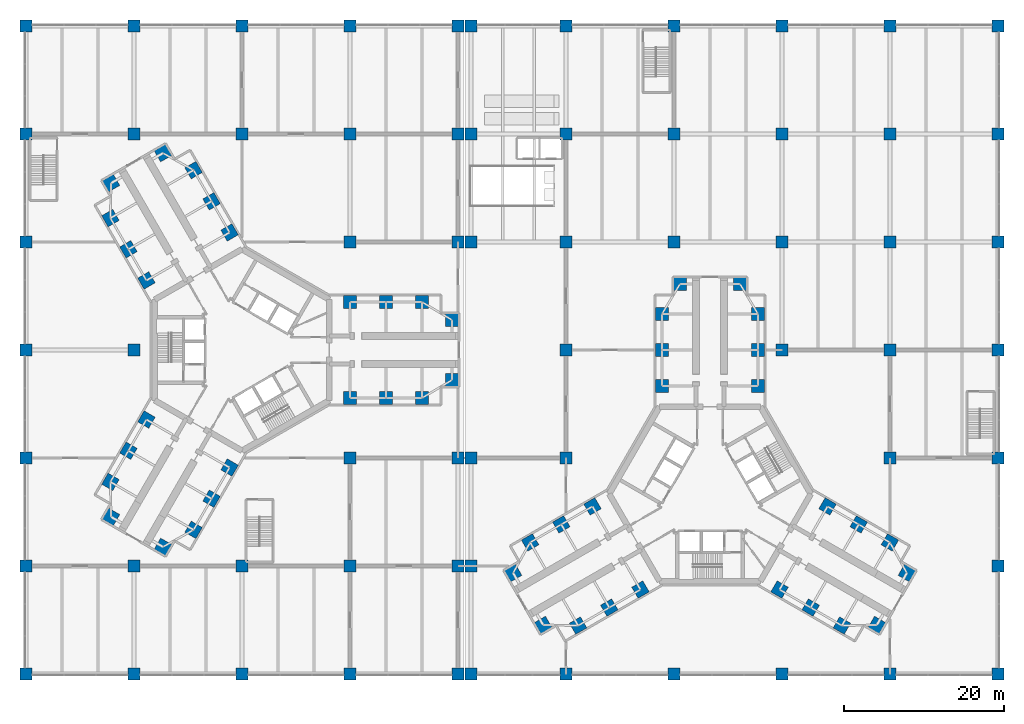
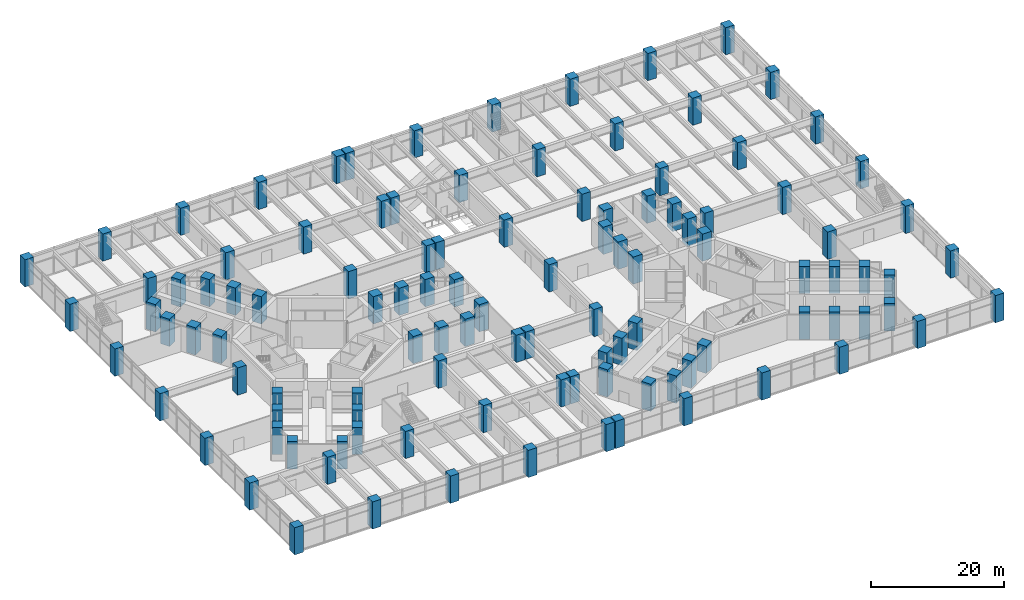
# One storey, part 1 of 32: 110 columns.
"""IFC4 building model written with IfcOpenShell, lengths in metres."""

from ifc_helpers import new_model, si_unit, direction, frame, origin, origin_2d, place, context, subcontext, project, spatial, rectangle, extrude, material, material_profile, profile_set, type_object, element, save


model = new_model("IFC4")

# Units and contexts
model_context = context("Model", 3, precision=1e-05, world=origin(), true_north=direction((0.0, 1.0)))
body_context = subcontext(model_context, "Body", "Model", "MODEL_VIEW")
ifc_project = project(units=[si_unit("LENGTHUNIT", "METRE"), si_unit("AREAUNIT", "SQUARE_METRE"), si_unit("VOLUMEUNIT", "CUBIC_METRE"), si_unit("PLANEANGLEUNIT", "RADIAN"), si_unit("MASSUNIT", "GRAM", prefix="KILO")], contexts=[model_context])

# Site, building, storey
site_placement = place(None, origin())
site = spatial("IfcSite", under=ifc_project, at=site_placement, CompositionType="ELEMENT")
building_placement = place(site_placement, origin())
building = spatial("IfcBuilding", under=site, at=building_placement, Name="Upepo Twin Towers", CompositionType="ELEMENT")
storey_placement = place(building_placement, frame((0.0, 0.0, 5.5)))
storey = spatial("IfcBuildingStorey", under=building, at=storey_placement, Name="L01", CompositionType="ELEMENT", Elevation=5.5)

# Columns
ifc_material_1 = material(Name="Concrete C60/75", Category="concrete")
ifc_material_profile_1 = material_profile(ifc_material_1, rectangle(XDim=1.5, YDim=1.5, at=origin_2d()), Name="RC 1500x1500")
ifc_profile_set_1 = profile_set([ifc_material_profile_1], Name="Concrete C60/75")
column_type_1 = type_object("IfcColumnType", Name="Podium column RC 1500x1500", PredefinedType="COLUMN", material=ifc_profile_set_1)
for number, where, z_axis, x_axis, name in (
    (1, (-27.0, -40.5, 0.0), (0.0, 0.0, 1.0), (1.0, 0.0, 0.0), "Podium column A/1"),
    (2, (-13.5, -40.5, 0.0), (0.0, 0.0, 1.0), (1.0, 0.0, 0.0), "Podium column A/2"),
    (3, (0.0, -40.5, 0.0), (0.0, 0.0, 1.0), (1.0, 0.0, 0.0), "Podium column A/3"),
    (4, (13.5, -40.5, 0.0), (0.0, 0.0, 1.0), (1.0, 0.0, 0.0), "Podium column A/4"),
    (5, (27.0, -40.5, 0.0), (0.0, 0.0, 1.0), (1.0, 0.0, 0.0), "Podium column A/5"),
    (6, (28.64990234375, -40.5, 0.0), (0.0, 0.0, 1.0), (1.0, 0.0, 0.0), "Podium column A/5a"),
    (7, (40.5, -40.5, 0.0), (0.0, 0.0, 1.0), (1.0, 0.0, 0.0), "Podium column A/6"),
    (8, (54.0, -40.5, 0.0), (0.0, 0.0, 1.0), (1.0, 0.0, 0.0), "Podium column A/7"),
    (9, (67.5, -40.5, 0.0), (0.0, 0.0, 1.0), (1.0, 0.0, 0.0), "Podium column A/8"),
    (10, (81.0, -40.5, 0.0), (0.0, 0.0, 1.0), (1.0, 0.0, 0.0), "Podium column A/9"),
    (11, (94.5, -40.5, 0.0), (0.0, 0.0, 1.0), (1.0, 0.0, 0.0), "Podium column A/10"),
    (12, (-27.0, -27.0, 0.0), (0.0, 0.0, 1.0), (1.0, 0.0, 0.0), "Podium column B/1"),
    (13, (-13.5, -27.0, 0.0), (0.0, 0.0, 1.0), (1.0, 0.0, 0.0), "Podium column B/2"),
    (14, (0.0, -27.0, 0.0), (0.0, 0.0, 1.0), (1.0, 0.0, 0.0), "Podium column B/3"),
    (15, (13.5, -27.0, 0.0), (0.0, 0.0, 1.0), (1.0, 0.0, 0.0), "Podium column B/4"),
    (16, (27.0, -27.0, 0.0), (0.0, 0.0, 1.0), (1.0, 0.0, 0.0), "Podium column B/5"),
    (17, (28.64990234375, -27.0, 0.0), (0.0, 0.0, 1.0), (1.0, 0.0, 0.0), "Podium column B/5a"),
    (18, (94.5, -27.0, 0.0), (0.0, 0.0, 1.0), (1.0, 0.0, 0.0), "Podium column B/10"),
    (19, (-27.0, -13.5, 0.0), (0.0, 0.0, 1.0), (1.0, 0.0, 0.0), "Podium column C/1"),
    (20, (13.5, -13.5, 0.0), (0.0, 0.0, 1.0), (1.0, 0.0, 0.0), "Podium column C/4"),
    (21, (27.0, -13.5, 0.0), (0.0, 0.0, 1.0), (1.0, 0.0, 0.0), "Podium column C/5"),
    (22, (28.64990234375, -13.5, 0.0), (0.0, 0.0, 1.0), (1.0, 0.0, 0.0), "Podium column C/5a"),
    (23, (40.5, -13.5, 0.0), (0.0, 0.0, 1.0), (1.0, 0.0, 0.0), "Podium column C/6"),
    (24, (81.0, -13.5, 0.0), (0.0, 0.0, 1.0), (1.0, 0.0, 0.0), "Podium column C/9"),
    (25, (94.5, -13.5, 0.0), (0.0, 0.0, 1.0), (1.0, 0.0, 0.0), "Podium column C/10"),
    (26, (-27.0, 0.0, 0.0), (0.0, 0.0, 1.0), (1.0, 0.0, 0.0), "Podium column D/1"),
    (27, (-13.5, 0.0, 0.0), (0.0, 0.0, 1.0), (1.0, 0.0, 0.0), "Podium column D/2"),
    (28, (40.5, 0.0, 0.0), (0.0, 0.0, 1.0), (1.0, 0.0, 0.0), "Podium column D/6"),
    (29, (67.5, 0.0, 0.0), (0.0, 0.0, 1.0), (1.0, 0.0, 0.0), "Podium column D/8"),
    (30, (81.0, 0.0, 0.0), (0.0, 0.0, 1.0), (1.0, 0.0, 0.0), "Podium column D/9"),
    (31, (94.5, 0.0, 0.0), (0.0, 0.0, 1.0), (1.0, 0.0, 0.0), "Podium column D/10"),
    (32, (-27.0, 13.5, 0.0), (0.0, 0.0, 1.0), (1.0, 0.0, 0.0), "Podium column E/1"),
    (33, (13.5, 13.5, 0.0), (0.0, 0.0, 1.0), (1.0, 0.0, 0.0), "Podium column E/4"),
    (34, (27.0, 13.5, 0.0), (0.0, 0.0, 1.0), (1.0, 0.0, 0.0), "Podium column E/5"),
    (35, (28.64990234375, 13.5, 0.0), (0.0, 0.0, 1.0), (1.0, 0.0, 0.0), "Podium column E/5a"),
    (36, (40.5, 13.5, 0.0), (0.0, 0.0, 1.0), (1.0, 0.0, 0.0), "Podium column E/6"),
    (37, (54.0, 13.5, 0.0), (0.0, 0.0, 1.0), (1.0, 0.0, 0.0), "Podium column E/7"),
    (38, (67.5, 13.5, 0.0), (0.0, 0.0, 1.0), (1.0, 0.0, 0.0), "Podium column E/8"),
    (39, (81.0, 13.5, 0.0), (0.0, 0.0, 1.0), (1.0, 0.0, 0.0), "Podium column E/9"),
    (40, (94.5, 13.5, 0.0), (0.0, 0.0, 1.0), (1.0, 0.0, 0.0), "Podium column E/10"),
    (41, (-27.0, 27.0, 0.0), (0.0, 0.0, 1.0), (1.0, 0.0, 0.0), "Podium column F/1"),
    (42, (-13.5, 27.0, 0.0), (0.0, 0.0, 1.0), (1.0, 0.0, 0.0), "Podium column F/2"),
    (43, (0.0, 27.0, 0.0), (0.0, 0.0, 1.0), (1.0, 0.0, 0.0), "Podium column F/3"),
    (44, (13.5, 27.0, 0.0), (0.0, 0.0, 1.0), (1.0, 0.0, 0.0), "Podium column F/4"),
    (45, (27.0, 27.0, 0.0), (0.0, 0.0, 1.0), (1.0, 0.0, 0.0), "Podium column F/5"),
    (46, (28.64990234375, 27.0, 0.0), (0.0, 0.0, 1.0), (1.0, 0.0, 0.0), "Podium column F/5a"),
    (47, (40.5, 27.0, 0.0), (0.0, 0.0, 1.0), (1.0, 0.0, 0.0), "Podium column F/6"),
    (48, (54.0, 27.0, 0.0), (0.0, 0.0, 1.0), (1.0, 0.0, 0.0), "Podium column F/7"),
    (49, (67.5, 27.0, 0.0), (0.0, 0.0, 1.0), (1.0, 0.0, 0.0), "Podium column F/8"),
    (50, (81.0, 27.0, 0.0), (0.0, 0.0, 1.0), (1.0, 0.0, 0.0), "Podium column F/9"),
    (51, (94.5, 27.0, 0.0), (0.0, 0.0, 1.0), (1.0, 0.0, 0.0), "Podium column F/10"),
    (52, (-27.0, 40.5, 0.0), (0.0, 0.0, 1.0), (1.0, 0.0, 0.0), "Podium column G/1"),
    (53, (-13.5, 40.5, 0.0), (0.0, 0.0, 1.0), (1.0, 0.0, 0.0), "Podium column G/2"),
    (54, (0.0, 40.5, 0.0), (0.0, 0.0, 1.0), (1.0, 0.0, 0.0), "Podium column G/3"),
    (55, (13.5, 40.5, 0.0), (0.0, 0.0, 1.0), (1.0, 0.0, 0.0), "Podium column G/4"),
    (56, (27.0, 40.5, 0.0), (0.0, 0.0, 1.0), (1.0, 0.0, 0.0), "Podium column G/5"),
    (57, (28.64990234375, 40.5, 0.0), (0.0, 0.0, 1.0), (1.0, 0.0, 0.0), "Podium column G/5a"),
    (58, (40.5, 40.5, 0.0), (0.0, 0.0, 1.0), (1.0, 0.0, 0.0), "Podium column G/6"),
    (59, (54.0, 40.5, 0.0), (0.0, 0.0, 1.0), (1.0, 0.0, 0.0), "Podium column G/7"),
    (60, (67.5, 40.5, 0.0), (0.0, 0.0, 1.0), (1.0, 0.0, 0.0), "Podium column G/8"),
    (61, (81.0, 40.5, 0.0), (0.0, 0.0, 1.0), (1.0, 0.0, 0.0), "Podium column G/9"),
    (62, (94.5, 40.5, 0.0), (0.0, 0.0, 1.0), (1.0, 0.0, 0.0), "Podium column G/10"),
):
    element("IfcColumn", number, at=place(storey_placement, frame(where, z_axis=z_axis, x_axis=x_axis)), inside=storey, type_object=column_type_1, Name=name, PredefinedType="COLUMN", context=body_context, shape_type="SweptSolid", body=[
        extrude(rectangle(XDim=1.5, YDim=1.5, at=origin_2d()), origin(), (0.0, 0.0, 1.0), 5.0),
    ])
ifc_material_2 = material(Name="Concrete C60/75", Category="concrete")
ifc_material_profile_2 = material_profile(ifc_material_2, rectangle(XDim=1.60009765625, YDim=1.60009765625, at=origin_2d()), Name="RC 1600x1600")
ifc_profile_set_2 = profile_set([ifc_material_profile_2], Name="Concrete C60/75")
column_type_2 = type_object("IfcColumnType", Name="Tower column RC 1600x1600", PredefinedType="COLUMN", material=ifc_profile_set_2)
for number, where, z_axis, x_axis, name in (
    (63, (13.5, 6.0, 0.0), (0.0, 0.0, 1.0), (1.0, 0.0, 0.0), "T1 column AL135"),
    (64, (13.5, -6.0, 0.0), (0.0, 0.0, 1.0), (1.0, 0.0, 0.0), "T1 column AR135"),
    (65, (18.0, 6.0, 0.0), (0.0, 0.0, 1.0), (1.0, 0.0, 0.0), "T1 column AL180"),
    (66, (18.0, -6.0, 0.0), (0.0, 0.0, 1.0), (1.0, 0.0, 0.0), "T1 column AR180"),
    (67, (22.5, 6.0, 0.0), (0.0, 0.0, 1.0), (1.0, 0.0, 0.0), "T1 column AL225"),
    (68, (22.5, -6.0, 0.0), (0.0, 0.0, 1.0), (1.0, 0.0, 0.0), "T1 column AR225"),
    (69, (26.25, 3.75, 0.0), (0.0, 0.0, 1.0), (1.0, 0.0, 0.0), "T1 column ALN"),
    (70, (26.25, -3.75, 0.0), (0.0, 0.0, 1.0), (1.0, 0.0, 0.0), "T1 column ARN"),
    (71, (-11.946044921875, 8.69140625, 0.0), (0.0, 0.0, 1.0), (0.866025403784, 0.5, 0.0), "T1 column BL135"),
    (72, (-1.553955078125, 14.69140625, 0.0), (0.0, 0.0, 1.0), (0.866025403784, 0.5, 0.0), "T1 column BR135"),
    (73, (-14.196044921875, 12.58837890625, 0.0), (0.0, 0.0, 1.0), (0.866025403784, 0.5, 0.0), "T1 column BL180"),
    (74, (-3.803955078125, 18.58837890625, 0.0), (0.0, 0.0, 1.0), (0.866025403784, 0.5, 0.0), "T1 column BR180"),
    (75, (-16.446044921875, 16.485595703125, 0.0), (0.0, 0.0, 1.0), (0.866025403784, 0.5, 0.0), "T1 column BL225"),
    (76, (-6.053955078125, 22.485595703125, 0.0), (0.0, 0.0, 1.0), (0.866025403784, 0.5, 0.0), "T1 column BR225"),
    (77, (-16.37255859375, 20.858154296875, 0.0), (0.0, 0.0, 1.0), (0.866025403784, 0.5, 0.0), "T1 column BLN"),
    (78, (-9.87744140625, 24.608154296875, 0.0), (0.0, 0.0, 1.0), (0.866025403784, 0.5, 0.0), "T1 column BRN"),
    (79, (-1.553955078125, -14.69140625, 0.0), (0.0, 0.0, 1.0), (0.5, 0.866025403784, 0.0), "T1 column CL135"),
    (80, (-11.946044921875, -8.69140625, 0.0), (0.0, 0.0, 1.0), (0.5, 0.866025403784, 0.0), "T1 column CR135"),
    (81, (-3.803955078125, -18.58837890625, 0.0), (0.0, 0.0, 1.0), (0.5, 0.866025403784, 0.0), "T1 column CL180"),
    (82, (-14.196044921875, -12.58837890625, 0.0), (0.0, 0.0, 1.0), (0.5, 0.866025403784, 0.0), "T1 column CR180"),
    (83, (-6.053955078125, -22.485595703125, 0.0), (0.0, 0.0, 1.0), (0.5, 0.866025403784, 0.0), "T1 column CL225"),
    (84, (-16.446044921875, -16.485595703125, 0.0), (0.0, 0.0, 1.0), (0.5, 0.866025403784, 0.0), "T1 column CR225"),
    (85, (-9.87744140625, -24.608154296875, 0.0), (0.0, 0.0, 1.0), (0.5, 0.866025403784, 0.0), "T1 column CLN"),
    (86, (-16.37255859375, -20.858154296875, 0.0), (0.0, 0.0, 1.0), (0.5, 0.866025403784, 0.0), "T1 column CRN"),
    (87, (52.5, -4.5, 0.0), (0.0, 0.0, 1.0), (1.0, 0.0, 0.0), "T2 column AL135"),
    (88, (64.5, -4.5, 0.0), (0.0, 0.0, 1.0), (1.0, 0.0, 0.0), "T2 column AR135"),
    (89, (52.5, 0.0, 0.0), (0.0, 0.0, 1.0), (1.0, 0.0, 0.0), "T2 column AL180"),
    (90, (64.5, 0.0, 0.0), (0.0, 0.0, 1.0), (1.0, 0.0, 0.0), "T2 column AR180"),
    (91, (52.5, 4.5, 0.0), (0.0, 0.0, 1.0), (1.0, 0.0, 0.0), "T2 column AL225"),
    (92, (64.5, 4.5, 0.0), (0.0, 0.0, 1.0), (1.0, 0.0, 0.0), "T2 column AR225"),
    (93, (54.75, 8.25, 0.0), (0.0, 0.0, 1.0), (1.0, 0.0, 0.0), "T2 column ALN"),
    (94, (62.25, 8.25, 0.0), (0.0, 0.0, 1.0), (1.0, 0.0, 0.0), "T2 column ARN"),
    (95, (49.80859375, -29.946044921875, 0.0), (0.0, 0.0, 1.0), (0.866025403784, 0.5, 0.0), "T2 column BL135"),
    (96, (43.80859375, -19.553955078125, 0.0), (0.0, 0.0, 1.0), (0.866025403784, 0.5, 0.0), "T2 column BR135"),
    (97, (45.91162109375, -32.196044921875, 0.0), (0.0, 0.0, 1.0), (0.866025403784, 0.5, 0.0), "T2 column BL180"),
    (98, (39.91162109375, -21.803955078125, 0.0), (0.0, 0.0, 1.0), (0.866025403784, 0.5, 0.0), "T2 column BR180"),
    (99, (42.014404296875, -34.446044921875, 0.0), (0.0, 0.0, 1.0), (0.866025403784, 0.5, 0.0), "T2 column BL225"),
    (100, (36.014404296875, -24.053955078125, 0.0), (0.0, 0.0, 1.0), (0.866025403784, 0.5, 0.0), "T2 column BR225"),
    (101, (37.641845703125, -34.37255859375, 0.0), (0.0, 0.0, 1.0), (0.866025403784, 0.5, 0.0), "T2 column BLN"),
    (102, (33.891845703125, -27.87744140625, 0.0), (0.0, 0.0, 1.0), (0.866025403784, 0.5, 0.0), "T2 column BRN"),
    (103, (73.19140625, -19.553955078125, 0.0), (0.0, 0.0, 1.0), (0.5, 0.866025403784, 0.0), "T2 column CL135"),
    (104, (67.19140625, -29.946044921875, 0.0), (0.0, 0.0, 1.0), (0.5, 0.866025403784, 0.0), "T2 column CR135"),
    (105, (77.08837890625, -21.803955078125, 0.0), (0.0, 0.0, 1.0), (0.5, 0.866025403784, 0.0), "T2 column CL180"),
    (106, (71.08837890625, -32.196044921875, 0.0), (0.0, 0.0, 1.0), (0.5, 0.866025403784, 0.0), "T2 column CR180"),
    (107, (80.985595703125, -24.053955078125, 0.0), (0.0, 0.0, 1.0), (0.5, 0.866025403784, 0.0), "T2 column CL225"),
    (108, (74.985595703125, -34.446044921875, 0.0), (0.0, 0.0, 1.0), (0.5, 0.866025403784, 0.0), "T2 column CR225"),
    (109, (83.108154296875, -27.87744140625, 0.0), (0.0, 0.0, 1.0), (0.5, 0.866025403784, 0.0), "T2 column CLN"),
    (110, (79.358154296875, -34.37255859375, 0.0), (0.0, 0.0, 1.0), (0.5, 0.866025403784, 0.0), "T2 column CRN"),
):
    element("IfcColumn", number, at=place(storey_placement, frame(where, z_axis=z_axis, x_axis=x_axis)), inside=storey, type_object=column_type_2, Name=name, PredefinedType="COLUMN", context=body_context, shape_type="SweptSolid", body=[
        extrude(rectangle(XDim=1.60009765625, YDim=1.60009765625, at=origin_2d()), origin(), (0.0, 0.0, 1.0), 5.0),
    ])

save(model, "model.ifc")
